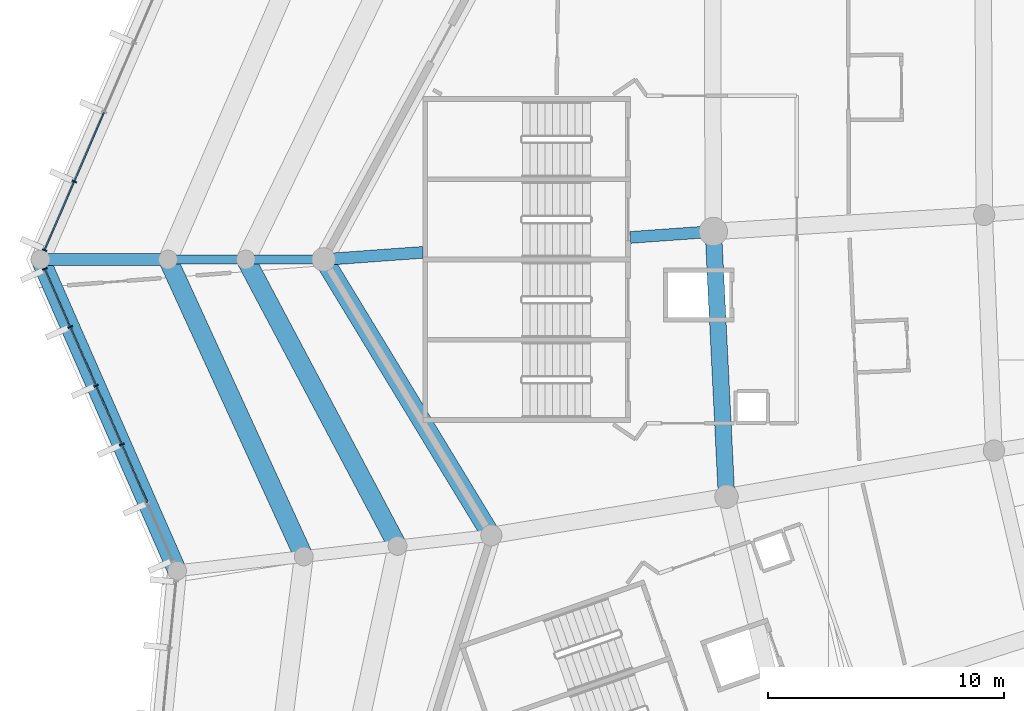
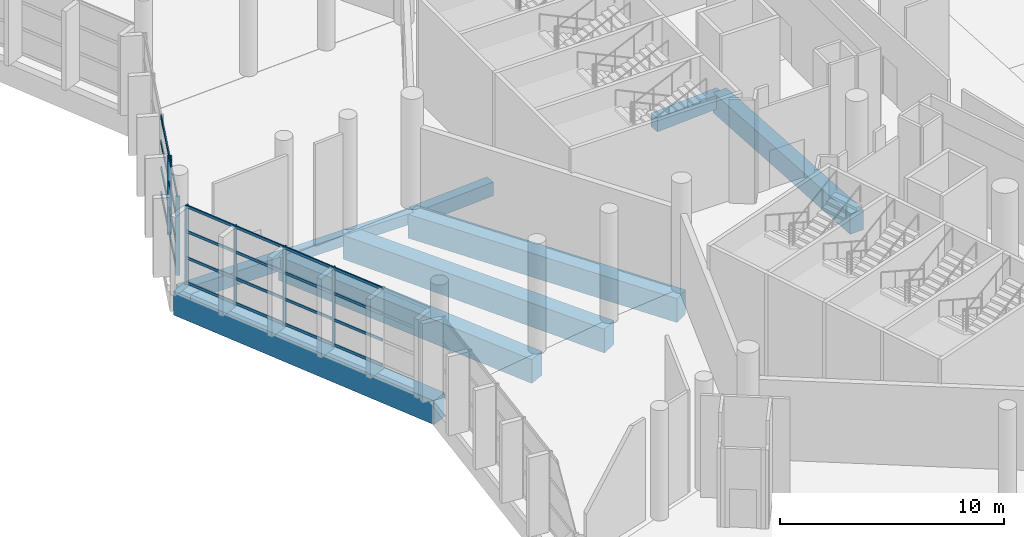
# One storey, part 20 of 249: 30 members, 10 beams, 2 elements without a shape of their own.
"""IFC4 building model written with IfcOpenShell, lengths in metres."""

from ifc_helpers import new_model, si_unit, direction, frame, origin, origin_2d, place, context, subcontext, project, spatial, rectangle, extrude, material, layer, layer_set, material_profile, profile_set, type_object, element, aggregate, save


model = new_model("IFC4")

# Units and contexts
model_context = context("Model", 3, precision=1e-05, world=origin(), true_north=direction((0.0, 1.0)))
body_context = subcontext(model_context, "Body", "Model", "MODEL_VIEW")
ifc_project = project(units=[si_unit("LENGTHUNIT", "METRE"), si_unit("AREAUNIT", "SQUARE_METRE"), si_unit("VOLUMEUNIT", "CUBIC_METRE"), si_unit("PLANEANGLEUNIT", "RADIAN"), si_unit("MASSUNIT", "GRAM", prefix="KILO")], contexts=[model_context])

# Site, building, storey
site_placement = place(None, origin())
site = spatial("IfcSite", under=ifc_project, at=site_placement, CompositionType="ELEMENT")
building_placement = place(site_placement, origin())
building = spatial("IfcBuilding", under=site, at=building_placement, Name="Meseta Stadium", CompositionType="ELEMENT")
storey_placement = place(building_placement, frame((0.0, 0.0, 12.0)))
storey = spatial("IfcBuildingStorey", under=building, at=storey_placement, Name="L02", CompositionType="ELEMENT", Elevation=12.0)

# Beams
ifc_material_1 = material(Name="Concrete C40/50", Category="concrete")
ifc_material_profile_1 = material_profile(ifc_material_1, rectangle(XDim=0.39990234375, YDim=0.60009765625, at=origin_2d()), Name="RC 400x600")
ifc_profile_set_1 = profile_set([ifc_material_profile_1], Name="Concrete C40/50")
beam_type_1 = type_object("IfcBeamType", Name="RC beam 400x600", PredefinedType="BEAM", material=ifc_profile_set_1)
for number, where, z_axis, x_axis, name in (
    (1, (-101.39990234375, -43.75, -0.64990234375), (-1.0, 0.0, 0.0), (0.0, -1.0, 0.0), "L02 radial beam frame 36 line R to M"),
    (2, (-104.699951171875, -43.75, -0.64990234375), (-1.0, 0.0, 0.0), (0.0, -1.0, 0.0), "L02 radial beam frame 36 line M to Q"),
):
    element("IfcBeam", number, at=place(storey_placement, frame(where, z_axis=z_axis, x_axis=x_axis)), inside=storey, type_object=beam_type_1, Name=name, PredefinedType="BEAM", context=body_context, shape_type="SweptSolid", body=[
        extrude(rectangle(XDim=0.39990234375, YDim=0.60009765625, at=origin_2d()), origin(), (0.0, 0.0, 1.0), 3.300048828125),
    ])
ifc_material_2 = material(Name="Concrete C40/50", Category="concrete")
ifc_material_profile_2 = material_profile(ifc_material_2, rectangle(XDim=0.5, YDim=0.75, at=origin_2d()), Name="RC 500x750")
ifc_profile_set_2 = profile_set([ifc_material_profile_2], Name="Concrete C40/50")
beam_type_2 = type_object("IfcBeamType", Name="RC beam 500x750", PredefinedType="BEAM", material=ifc_profile_set_2)
beam_1_placement = place(storey_placement, frame((-84.884033203125, -42.5615234375, -0.72509765625), z_axis=(-0.997422358581, -0.071754014547, 0.0), x_axis=(0.071754014547, -0.997422358581, 0.0)))
element("IfcBeam", 3, at=beam_1_placement, inside=storey, type_object=beam_type_2, Name="L02 radial beam frame 36 line P to R", PredefinedType="BEAM", context=body_context, shape_type="SweptSolid", body=[
    extrude(rectangle(XDim=0.5, YDim=0.75, at=origin_2d()), origin(), (0.0, 0.0, 1.0), 3.52490234375),
])
beam_2_placement = place(storey_placement, frame((-97.199951171875, -43.44775390625, -0.72509765625), z_axis=(-0.997420591967, -0.071778567276, 0.0), x_axis=(0.071778567276, -0.997420591967, 0.0)))
element("IfcBeam", 4, at=beam_2_placement, inside=storey, type_object=beam_type_2, Name="L02 radial beam frame 36 line P to R", PredefinedType="BEAM", context=body_context, shape_type="SweptSolid", body=[
    extrude(rectangle(XDim=0.5, YDim=0.75, at=origin_2d()), origin(), (0.0, 0.0, 1.0), 4.210693359375),
])
beam_3_placement = place(storey_placement, frame((-108.0, -43.75, -0.72509765625), z_axis=(-1.0, 0.0, 0.0), x_axis=(0.0, -1.0, 0.0)))
element("IfcBeam", 5, at=beam_3_placement, inside=storey, type_object=beam_type_2, Name="L02 radial beam frame 36 line Q to O", PredefinedType="BEAM", context=body_context, shape_type="SweptSolid", body=[
    extrude(rectangle(XDim=0.5, YDim=0.75, at=origin_2d()), origin(), (0.0, 0.0, 1.0), 5.39990234375),
])
ifc_material_3 = material(Name="Concrete C40/50", Category="concrete")
ifc_material_profile_3 = material_profile(ifc_material_3, rectangle(XDim=0.699951171875, YDim=1.10009765625, at=origin_2d()), Name="RC 700x1100")
ifc_profile_set_3 = profile_set([ifc_material_profile_3], Name="Concrete C40/50")
beam_type_3 = type_object("IfcBeamType", Name="RC beam 700x1100", PredefinedType="BEAM", material=ifc_profile_set_3)
beam_4_placement = place(storey_placement, frame((-84.884033203125, -42.5615234375, -0.89990234375), z_axis=(0.049657379323, -0.998766311346, 0.0), x_axis=(0.998766311346, 0.049657379323, 0.0)))
element("IfcBeam", 6, at=beam_4_placement, inside=storey, type_object=beam_type_3, Name="L02 ring beam frame 36 line P", PredefinedType="BEAM", context=body_context, shape_type="SweptSolid", body=[
    extrude(rectangle(XDim=0.699951171875, YDim=1.10009765625, at=origin_2d()), origin(), (0.0, 0.0, 1.0), 11.25390625),
])
ifc_material_4 = material(Name="Concrete C40/50", Category="concrete")
ifc_material_profile_4 = material_profile(ifc_material_4, rectangle(XDim=0.800048828125, YDim=1.300048828125, at=origin_2d()), Name="RC 800x1300")
ifc_profile_set_4 = profile_set([ifc_material_profile_4], Name="Concrete C40/50")
beam_type_4 = type_object("IfcBeamType", Name="RC beam 800x1300", PredefinedType="BEAM", material=ifc_profile_set_4)
beam_5_placement = place(storey_placement, frame((-101.39990234375, -43.75, -1.0), z_axis=(0.519358064651, -0.854556727598, 0.0), x_axis=(0.854556727598, 0.519358064651, 0.0)))
element("IfcBeam", 7, at=beam_5_placement, inside=storey, type_object=beam_type_4, Name="L02 ring beam frame 36 line R", PredefinedType="BEAM", context=body_context, shape_type="SweptSolid", body=[
    extrude(rectangle(XDim=0.800048828125, YDim=1.300048828125, at=origin_2d()), origin(), (0.0, 0.0, 1.0), 13.68115234375),
])
beam_6_placement = place(storey_placement, frame((-104.699951171875, -43.75, -1.0), z_axis=(0.468110622218, -0.88366987352, 0.0), x_axis=(0.88366987352, 0.468110622218, 0.0)))
element("IfcBeam", 8, at=beam_6_placement, inside=storey, type_object=beam_type_4, Name="L02 ring beam frame 36 line M", PredefinedType="BEAM", context=body_context, shape_type="SweptSolid", body=[
    extrude(rectangle(XDim=0.800048828125, YDim=1.300048828125, at=origin_2d()), origin(), (0.0, 0.0, 1.0), 13.737548828125),
])
beam_7_placement = place(storey_placement, frame((-108.0, -43.75, -1.0), z_axis=(0.415863139592, -0.909427209363, 0.0), x_axis=(0.909427209363, 0.415863139592, 0.0)))
element("IfcBeam", 9, at=beam_7_placement, inside=storey, type_object=beam_type_4, Name="L02 ring beam frame 36 line Q", PredefinedType="BEAM", context=body_context, shape_type="SweptSolid", body=[
    extrude(rectangle(XDim=0.800048828125, YDim=1.300048828125, at=origin_2d()), origin(), (0.0, 0.0, 1.0), 13.8408203125),
])
beam_8_placement = place(storey_placement, frame((-113.39990234375, -43.75, -1.0), z_axis=(0.401887137806, -0.915689209539, 0.0), x_axis=(0.915689209539, 0.401887137806, 0.0)))
element("IfcBeam", 10, at=beam_8_placement, inside=storey, type_object=beam_type_4, Name="L02 ring beam frame 36 line O", PredefinedType="BEAM", context=body_context, shape_type="SweptSolid", body=[
    extrude(rectangle(XDim=0.800048828125, YDim=1.300048828125, at=origin_2d()), origin(), (0.0, 0.0, 1.0), 14.406494140625),
])

# Curtain wall, members
ifc_material_5 = material(Name="Aluminium", Category="aluminium")
ifc_layer = layer(ifc_material_5, 0.199951171875)
ifc_layer_set = layer_set([ifc_layer], Name="Ring shopfront curtain wall")
curtain_wall_type = type_object("IfcCurtainWallType", Name="Ring shopfront curtain wall", PredefinedType="NOTDEFINED", material=ifc_layer_set)
curtain_wall_1_placement = place(storey_placement, origin())
curtain_wall_1 = element("IfcCurtainWall", 11, at=curtain_wall_1_placement, inside=storey, type_object=curtain_wall_type, Name="Ring glazing L02 F35", PredefinedType="NOTDEFINED")
ifc_material_6 = material(Name="Aluminium", Category="aluminium")
ifc_material_profile_5 = material_profile(ifc_material_6, rectangle(XDim=0.199951171875, YDim=0.06005859375, at=origin_2d()), Name="CW 200x60")
ifc_profile_set_5 = profile_set([ifc_material_profile_5], Name="Aluminium")
member_type_1 = type_object("IfcMemberType", Name="Ring CW mullion 60x200", PredefinedType="MULLION", material=ifc_profile_set_5)
member_1_placement = place(storey_placement, frame((-111.970703125, -40.44140625, 0.0), z_axis=(0.0, 0.0, 1.0), x_axis=(0.91799986854, -0.396580687073, 0.0)))
member_1 = element("IfcMember", 12, at=member_1_placement, type_object=member_type_1, Name="CWR1 mullion 4", PredefinedType="MULLION", context=body_context, shape_type="SweptSolid", body=[
    extrude(rectangle(XDim=0.199951171875, YDim=0.06005859375, at=origin_2d()), origin(), (0.0, 0.0, 1.0), 4.300048828125),
])
member_2_placement = place(storey_placement, frame((-113.2294921875, -43.355224609375, 0.0), z_axis=(0.0, 0.0, 1.0), x_axis=(0.91799986854, -0.396580687073, 0.0)))
member_2 = element("IfcMember", 13, at=member_2_placement, type_object=member_type_1, Name="CWR1 mullion 5", PredefinedType="MULLION", context=body_context, shape_type="SweptSolid", body=[
    extrude(rectangle(XDim=0.199951171875, YDim=0.06005859375, at=origin_2d()), origin(), (0.0, 0.0, 1.0), 4.300048828125),
])

curtain_wall_2_placement = place(storey_placement, origin())
curtain_wall_2 = element("IfcCurtainWall", 14, at=curtain_wall_2_placement, inside=storey, type_object=curtain_wall_type, Name="Ring glazing L02 F36", PredefinedType="NOTDEFINED")
member_3_placement = place(storey_placement, frame((-113.22705078125, -44.143798828125, 0.0), z_axis=(0.0, 0.0, 1.0), x_axis=(0.915687110145, 0.401891921186, 0.0)))
member_3 = element("IfcMember", 15, at=member_3_placement, type_object=member_type_1, Name="CWR1 mullion 1", PredefinedType="MULLION", context=body_context, shape_type="SweptSolid", body=[
    extrude(rectangle(XDim=0.199951171875, YDim=0.06005859375, at=origin_2d()), origin(), (0.0, 0.0, 1.0), 4.300048828125),
])
member_4_placement = place(storey_placement, frame((-112.1455078125, -46.608154296875, 0.0), z_axis=(0.0, 0.0, 1.0), x_axis=(0.915687110145, 0.401891921186, 0.0)))
member_4 = element("IfcMember", 16, at=member_4_placement, type_object=member_type_1, Name="CWR1 mullion 2", PredefinedType="MULLION", context=body_context, shape_type="SweptSolid", body=[
    extrude(rectangle(XDim=0.199951171875, YDim=0.06005859375, at=origin_2d()), origin(), (0.0, 0.0, 1.0), 4.300048828125),
])
member_5_placement = place(storey_placement, frame((-111.052001953125, -49.10009765625, 0.0), z_axis=(0.0, 0.0, 1.0), x_axis=(0.915687110145, 0.401891921186, 0.0)))
member_5 = element("IfcMember", 17, at=member_5_placement, type_object=member_type_1, Name="CWR1 mullion 3", PredefinedType="MULLION", context=body_context, shape_type="SweptSolid", body=[
    extrude(rectangle(XDim=0.199951171875, YDim=0.06005859375, at=origin_2d()), origin(), (0.0, 0.0, 1.0), 4.300048828125),
])
member_6_placement = place(storey_placement, frame((-109.958251953125, -51.591796875, 0.0), z_axis=(0.0, 0.0, 1.0), x_axis=(0.915687110145, 0.401891921186, 0.0)))
member_6 = element("IfcMember", 18, at=member_6_placement, type_object=member_type_1, Name="CWR1 mullion 4", PredefinedType="MULLION", context=body_context, shape_type="SweptSolid", body=[
    extrude(rectangle(XDim=0.199951171875, YDim=0.06005859375, at=origin_2d()), origin(), (0.0, 0.0, 1.0), 4.300048828125),
])

# Member
ifc_material_7 = material(Name="Aluminium", Category="aluminium")
ifc_material_profile_6 = material_profile(ifc_material_7, rectangle(XDim=0.06005859375, YDim=0.14990234375, at=origin_2d()), Name="CW 60x150")
ifc_profile_set_6 = profile_set([ifc_material_profile_6], Name="Aluminium")
member_type_2 = type_object("IfcMemberType", Name="Ring CW transom 60x150", PredefinedType="USERDEFINED", material=ifc_profile_set_6)
member_7_placement = place(storey_placement, frame((-110.7119140625, -37.527587890625, 0.074951171875), z_axis=(-0.396569883564, -0.918004535637, 0.0), x_axis=(0.918004535637, -0.396569883564, 0.0)))
member_7 = element("IfcMember", 19, at=member_7_placement, type_object=member_type_2, Name="CWR1 transom 3.1", ObjectType="TRANSOM", PredefinedType="USERDEFINED", context=body_context, shape_type="SweptSolid", body=[
    extrude(rectangle(XDim=0.06005859375, YDim=0.14990234375, at=origin_2d()), origin(), (0.0, 0.0, 1.0), 3.14404296875),
])

member_8_placement = place(storey_placement, frame((-110.7119140625, -37.527587890625, 1.433349609375), z_axis=(-0.396569883564, -0.918004535637, 0.0), x_axis=(0.918004535637, -0.396569883564, 0.0)))
member_8 = element("IfcMember", 20, at=member_8_placement, type_object=member_type_2, Name="CWR1 transom 3.2", ObjectType="TRANSOM", PredefinedType="USERDEFINED", context=body_context, shape_type="SweptSolid", body=[
    extrude(rectangle(XDim=0.06005859375, YDim=0.14990234375, at=origin_2d()), origin(), (0.0, 0.0, 1.0), 3.14404296875),
])

member_9_placement = place(storey_placement, frame((-110.7119140625, -37.527587890625, 2.86669921875), z_axis=(-0.396569883564, -0.918004535637, 0.0), x_axis=(0.918004535637, -0.396569883564, 0.0)))
member_9 = element("IfcMember", 21, at=member_9_placement, type_object=member_type_2, Name="CWR1 transom 3.3", ObjectType="TRANSOM", PredefinedType="USERDEFINED", context=body_context, shape_type="SweptSolid", body=[
    extrude(rectangle(XDim=0.06005859375, YDim=0.14990234375, at=origin_2d()), origin(), (0.0, 0.0, 1.0), 3.14404296875),
])

member_10_placement = place(storey_placement, frame((-110.7119140625, -37.527587890625, 4.22509765625), z_axis=(-0.396569883564, -0.918004535637, 0.0), x_axis=(0.918004535637, -0.396569883564, 0.0)))
member_10 = element("IfcMember", 22, at=member_10_placement, type_object=member_type_2, Name="CWR1 transom 3.4", ObjectType="TRANSOM", PredefinedType="USERDEFINED", context=body_context, shape_type="SweptSolid", body=[
    extrude(rectangle(XDim=0.06005859375, YDim=0.14990234375, at=origin_2d()), origin(), (0.0, 0.0, 1.0), 3.14404296875),
])

member_11_placement = place(storey_placement, frame((-111.982666015625, -40.468994140625, 0.074951171875), z_axis=(-0.396557660608, -0.91800981575, 0.0), x_axis=(0.91800981575, -0.396557660608, 0.0)))
member_11 = element("IfcMember", 23, at=member_11_placement, type_object=member_type_2, Name="CWR1 transom 4.1", ObjectType="TRANSOM", PredefinedType="USERDEFINED", context=body_context, shape_type="SweptSolid", body=[
    extrude(rectangle(XDim=0.06005859375, YDim=0.14990234375, at=origin_2d()), origin(), (0.0, 0.0, 1.0), 3.114013671875),
])

member_12_placement = place(storey_placement, frame((-111.982666015625, -40.468994140625, 1.433349609375), z_axis=(-0.396557660608, -0.91800981575, 0.0), x_axis=(0.91800981575, -0.396557660608, 0.0)))
member_12 = element("IfcMember", 24, at=member_12_placement, type_object=member_type_2, Name="CWR1 transom 4.2", ObjectType="TRANSOM", PredefinedType="USERDEFINED", context=body_context, shape_type="SweptSolid", body=[
    extrude(rectangle(XDim=0.06005859375, YDim=0.14990234375, at=origin_2d()), origin(), (0.0, 0.0, 1.0), 3.114013671875),
])

member_13_placement = place(storey_placement, frame((-111.982666015625, -40.468994140625, 2.86669921875), z_axis=(-0.396557660608, -0.91800981575, 0.0), x_axis=(0.91800981575, -0.396557660608, 0.0)))
member_13 = element("IfcMember", 25, at=member_13_placement, type_object=member_type_2, Name="CWR1 transom 4.3", ObjectType="TRANSOM", PredefinedType="USERDEFINED", context=body_context, shape_type="SweptSolid", body=[
    extrude(rectangle(XDim=0.06005859375, YDim=0.14990234375, at=origin_2d()), origin(), (0.0, 0.0, 1.0), 3.114013671875),
])

member_14_placement = place(storey_placement, frame((-111.982666015625, -40.468994140625, 4.22509765625), z_axis=(-0.396557660608, -0.91800981575, 0.0), x_axis=(0.91800981575, -0.396557660608, 0.0)))
member_14 = element("IfcMember", 26, at=member_14_placement, type_object=member_type_2, Name="CWR1 transom 4.4", ObjectType="TRANSOM", PredefinedType="USERDEFINED", context=body_context, shape_type="SweptSolid", body=[
    extrude(rectangle(XDim=0.06005859375, YDim=0.14990234375, at=origin_2d()), origin(), (0.0, 0.0, 1.0), 3.114013671875),
])

aggregate(curtain_wall_1, [member_1, member_2, member_7, member_8, member_9, member_10, member_11, member_12, member_13, member_14])

member_15_placement = place(storey_placement, frame((-113.215087890625, -44.171142578125, 0.074951171875), z_axis=(0.40185534472, -0.915703162559, 0.0), x_axis=(0.915703162559, 0.40185534472, 0.0)))
member_15 = element("IfcMember", 27, at=member_15_placement, type_object=member_type_2, Name="CWR1 transom 1.1", ObjectType="TRANSOM", PredefinedType="USERDEFINED", context=body_context, shape_type="SweptSolid", body=[
    extrude(rectangle(XDim=0.06005859375, YDim=0.14990234375, at=origin_2d()), origin(), (0.0, 0.0, 1.0), 2.63134765625),
])

member_16_placement = place(storey_placement, frame((-113.215087890625, -44.171142578125, 1.433349609375), z_axis=(0.40185534472, -0.915703162559, 0.0), x_axis=(0.915703162559, 0.40185534472, 0.0)))
member_16 = element("IfcMember", 28, at=member_16_placement, type_object=member_type_2, Name="CWR1 transom 1.2", ObjectType="TRANSOM", PredefinedType="USERDEFINED", context=body_context, shape_type="SweptSolid", body=[
    extrude(rectangle(XDim=0.06005859375, YDim=0.14990234375, at=origin_2d()), origin(), (0.0, 0.0, 1.0), 2.63134765625),
])

member_17_placement = place(storey_placement, frame((-113.215087890625, -44.171142578125, 2.86669921875), z_axis=(0.40185534472, -0.915703162559, 0.0), x_axis=(0.915703162559, 0.40185534472, 0.0)))
member_17 = element("IfcMember", 29, at=member_17_placement, type_object=member_type_2, Name="CWR1 transom 1.3", ObjectType="TRANSOM", PredefinedType="USERDEFINED", context=body_context, shape_type="SweptSolid", body=[
    extrude(rectangle(XDim=0.06005859375, YDim=0.14990234375, at=origin_2d()), origin(), (0.0, 0.0, 1.0), 2.63134765625),
])

member_18_placement = place(storey_placement, frame((-113.215087890625, -44.171142578125, 4.22509765625), z_axis=(0.40185534472, -0.915703162559, 0.0), x_axis=(0.915703162559, 0.40185534472, 0.0)))
member_18 = element("IfcMember", 30, at=member_18_placement, type_object=member_type_2, Name="CWR1 transom 1.4", ObjectType="TRANSOM", PredefinedType="USERDEFINED", context=body_context, shape_type="SweptSolid", body=[
    extrude(rectangle(XDim=0.06005859375, YDim=0.14990234375, at=origin_2d()), origin(), (0.0, 0.0, 1.0), 2.63134765625),
])

member_19_placement = place(storey_placement, frame((-112.133544921875, -46.635498046875, 0.074951171875), z_axis=(0.401886887269, -0.915689319497, 0.0), x_axis=(0.915689319497, 0.401886887269, 0.0)))
member_19 = element("IfcMember", 31, at=member_19_placement, type_object=member_type_2, Name="CWR1 transom 2.1", ObjectType="TRANSOM", PredefinedType="USERDEFINED", context=body_context, shape_type="SweptSolid", body=[
    extrude(rectangle(XDim=0.06005859375, YDim=0.14990234375, at=origin_2d()), origin(), (0.0, 0.0, 1.0), 2.661376953125),
])

member_20_placement = place(storey_placement, frame((-112.133544921875, -46.635498046875, 1.433349609375), z_axis=(0.401886887269, -0.915689319497, 0.0), x_axis=(0.915689319497, 0.401886887269, 0.0)))
member_20 = element("IfcMember", 32, at=member_20_placement, type_object=member_type_2, Name="CWR1 transom 2.2", ObjectType="TRANSOM", PredefinedType="USERDEFINED", context=body_context, shape_type="SweptSolid", body=[
    extrude(rectangle(XDim=0.06005859375, YDim=0.14990234375, at=origin_2d()), origin(), (0.0, 0.0, 1.0), 2.661376953125),
])

member_21_placement = place(storey_placement, frame((-112.133544921875, -46.635498046875, 2.86669921875), z_axis=(0.401886887269, -0.915689319497, 0.0), x_axis=(0.915689319497, 0.401886887269, 0.0)))
member_21 = element("IfcMember", 33, at=member_21_placement, type_object=member_type_2, Name="CWR1 transom 2.3", ObjectType="TRANSOM", PredefinedType="USERDEFINED", context=body_context, shape_type="SweptSolid", body=[
    extrude(rectangle(XDim=0.06005859375, YDim=0.14990234375, at=origin_2d()), origin(), (0.0, 0.0, 1.0), 2.661376953125),
])

member_22_placement = place(storey_placement, frame((-112.133544921875, -46.635498046875, 4.22509765625), z_axis=(0.401886887269, -0.915689319497, 0.0), x_axis=(0.915689319497, 0.401886887269, 0.0)))
member_22 = element("IfcMember", 34, at=member_22_placement, type_object=member_type_2, Name="CWR1 transom 2.4", ObjectType="TRANSOM", PredefinedType="USERDEFINED", context=body_context, shape_type="SweptSolid", body=[
    extrude(rectangle(XDim=0.06005859375, YDim=0.14990234375, at=origin_2d()), origin(), (0.0, 0.0, 1.0), 2.661376953125),
])

member_23_placement = place(storey_placement, frame((-111.039794921875, -49.12744140625, 0.074951171875), z_axis=(0.401886887269, -0.915689319497, 0.0), x_axis=(0.915689319497, 0.401886887269, 0.0)))
member_23 = element("IfcMember", 35, at=member_23_placement, type_object=member_type_2, Name="CWR1 transom 3.1", ObjectType="TRANSOM", PredefinedType="USERDEFINED", context=body_context, shape_type="SweptSolid", body=[
    extrude(rectangle(XDim=0.06005859375, YDim=0.14990234375, at=origin_2d()), origin(), (0.0, 0.0, 1.0), 2.661376953125),
])

member_24_placement = place(storey_placement, frame((-111.039794921875, -49.12744140625, 1.433349609375), z_axis=(0.401886887269, -0.915689319497, 0.0), x_axis=(0.915689319497, 0.401886887269, 0.0)))
member_24 = element("IfcMember", 36, at=member_24_placement, type_object=member_type_2, Name="CWR1 transom 3.2", ObjectType="TRANSOM", PredefinedType="USERDEFINED", context=body_context, shape_type="SweptSolid", body=[
    extrude(rectangle(XDim=0.06005859375, YDim=0.14990234375, at=origin_2d()), origin(), (0.0, 0.0, 1.0), 2.661376953125),
])

member_25_placement = place(storey_placement, frame((-111.039794921875, -49.12744140625, 2.86669921875), z_axis=(0.401886887269, -0.915689319497, 0.0), x_axis=(0.915689319497, 0.401886887269, 0.0)))
member_25 = element("IfcMember", 37, at=member_25_placement, type_object=member_type_2, Name="CWR1 transom 3.3", ObjectType="TRANSOM", PredefinedType="USERDEFINED", context=body_context, shape_type="SweptSolid", body=[
    extrude(rectangle(XDim=0.06005859375, YDim=0.14990234375, at=origin_2d()), origin(), (0.0, 0.0, 1.0), 2.661376953125),
])

member_26_placement = place(storey_placement, frame((-111.039794921875, -49.12744140625, 4.22509765625), z_axis=(0.401886887269, -0.915689319497, 0.0), x_axis=(0.915689319497, 0.401886887269, 0.0)))
member_26 = element("IfcMember", 38, at=member_26_placement, type_object=member_type_2, Name="CWR1 transom 3.4", ObjectType="TRANSOM", PredefinedType="USERDEFINED", context=body_context, shape_type="SweptSolid", body=[
    extrude(rectangle(XDim=0.06005859375, YDim=0.14990234375, at=origin_2d()), origin(), (0.0, 0.0, 1.0), 2.661376953125),
])

member_27_placement = place(storey_placement, frame((-109.946044921875, -51.619384765625, 0.074951171875), z_axis=(0.401843722256, -0.915708262977, 0.0), x_axis=(0.915708262977, 0.401843722256, 0.0)))
member_27 = element("IfcMember", 39, at=member_27_placement, type_object=member_type_2, Name="CWR1 transom 4.1", ObjectType="TRANSOM", PredefinedType="USERDEFINED", context=body_context, shape_type="SweptSolid", body=[
    extrude(rectangle(XDim=0.06005859375, YDim=0.14990234375, at=origin_2d()), origin(), (0.0, 0.0, 1.0), 2.6611328125),
])

member_28_placement = place(storey_placement, frame((-109.946044921875, -51.619384765625, 1.433349609375), z_axis=(0.401843722256, -0.915708262977, 0.0), x_axis=(0.915708262977, 0.401843722256, 0.0)))
member_28 = element("IfcMember", 40, at=member_28_placement, type_object=member_type_2, Name="CWR1 transom 4.2", ObjectType="TRANSOM", PredefinedType="USERDEFINED", context=body_context, shape_type="SweptSolid", body=[
    extrude(rectangle(XDim=0.06005859375, YDim=0.14990234375, at=origin_2d()), origin(), (0.0, 0.0, 1.0), 2.6611328125),
])

member_29_placement = place(storey_placement, frame((-109.946044921875, -51.619384765625, 2.86669921875), z_axis=(0.401843722256, -0.915708262977, 0.0), x_axis=(0.915708262977, 0.401843722256, 0.0)))
member_29 = element("IfcMember", 41, at=member_29_placement, type_object=member_type_2, Name="CWR1 transom 4.3", ObjectType="TRANSOM", PredefinedType="USERDEFINED", context=body_context, shape_type="SweptSolid", body=[
    extrude(rectangle(XDim=0.06005859375, YDim=0.14990234375, at=origin_2d()), origin(), (0.0, 0.0, 1.0), 2.6611328125),
])

member_30_placement = place(storey_placement, frame((-109.946044921875, -51.619384765625, 4.22509765625), z_axis=(0.401843722256, -0.915708262977, 0.0), x_axis=(0.915708262977, 0.401843722256, 0.0)))
member_30 = element("IfcMember", 42, at=member_30_placement, type_object=member_type_2, Name="CWR1 transom 4.4", ObjectType="TRANSOM", PredefinedType="USERDEFINED", context=body_context, shape_type="SweptSolid", body=[
    extrude(rectangle(XDim=0.06005859375, YDim=0.14990234375, at=origin_2d()), origin(), (0.0, 0.0, 1.0), 2.6611328125),
])

aggregate(curtain_wall_2, [member_3, member_4, member_5, member_6, member_15, member_16, member_17, member_18, member_19, member_20, member_21, member_22, member_23, member_24, member_25, member_26, member_27, member_28, member_29, member_30])

save(model, "model.ifc")
